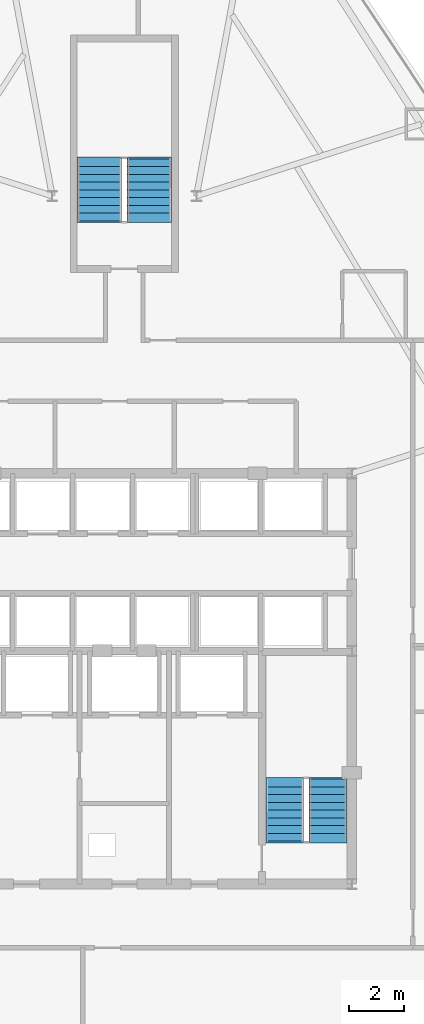
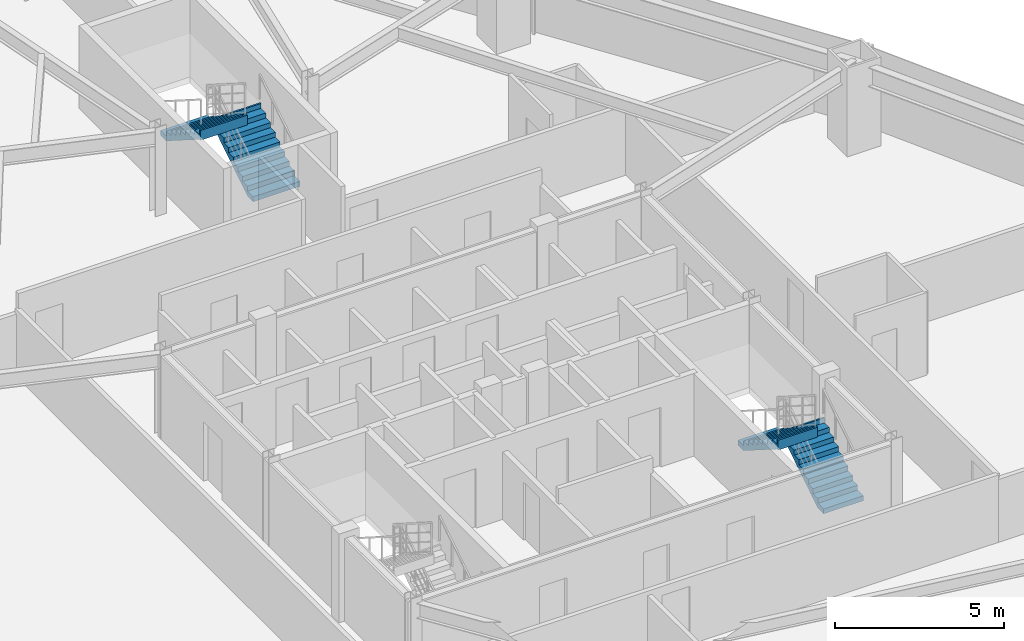
# One storey, part 11 of 12: 4 stair flights, 2 elements without a shape of their own.
"""IFC4 building model written with IfcOpenShell, lengths in metres."""

from ifc_helpers import new_model, si_unit, direction, frame, origin, place, context, subcontext, project, spatial, polyline, outline, extrude, material, type_object, element, aggregate, save


model = new_model("IFC4")

# Units and contexts
model_context = context("Model", 3, precision=1e-05, world=origin(), true_north=direction((0.0, 1.0)))
body_context = subcontext(model_context, "Body", "Model", "MODEL_VIEW")
ifc_project = project(units=[si_unit("LENGTHUNIT", "METRE"), si_unit("AREAUNIT", "SQUARE_METRE"), si_unit("VOLUMEUNIT", "CUBIC_METRE"), si_unit("PLANEANGLEUNIT", "RADIAN"), si_unit("MASSUNIT", "GRAM", prefix="KILO")], contexts=[model_context])

# Site, building, storey
site_placement = place(None, origin())
site = spatial("IfcSite", under=ifc_project, at=site_placement, CompositionType="ELEMENT")
building_placement = place(site_placement, origin())
building = spatial("IfcBuilding", under=site, at=building_placement, Name="Varakhsha Concourse Tower", CompositionType="ELEMENT")
storey_placement = place(building_placement, frame((0.0, 0.0, 62.39990234375)))
storey = spatial("IfcBuildingStorey", under=building, at=storey_placement, Name="L17", CompositionType="ELEMENT", Elevation=62.39990234375)

# Stair, stair flights
ifc_material = material(Name="Concrete fc 45 MPa", Category="concrete")
stair_type_1 = type_object("IfcStairType", Name="ST-DOGLEG-1360", PredefinedType="HALF_TURN_STAIR", material=ifc_material)
stair_1_placement = place(storey_placement, origin())
stair_1 = element("IfcStair", 1, at=stair_1_placement, inside=storey, type_object=stair_type_1, Name="L17 Protected Exit Stair ST2", PredefinedType="HALF_TURN_STAIR")
stair_flight_type_1 = type_object("IfcStairFlightType", Name="STF-1360-R1778", PredefinedType="STRAIGHT", material=ifc_material)
stair_flight_1_placement = place(storey_placement, frame((47.340087890625, 17.93994140625, 0.0), z_axis=(0.0, 0.0, 1.0), x_axis=(0.0, 1.0, 0.0)))
stair_flight_1 = element("IfcStairFlight", 2, at=stair_flight_1_placement, type_object=stair_flight_type_1, Name="ST2 flight 1", NumberOfRisers=9, NumberOfTreads=8, PredefinedType="STRAIGHT", RiserHeight=0.177777778, TreadLength=0.28, context=body_context, shape_type="SweptSolid", body=[
    extrude(outline(polyline([(-0.06005859375, 0.0), (-0.06005859375, 0.177734375), (0.0, 0.177734375), (0.280029296875, 0.177734375), (0.280029296875, 0.35546875), (0.56005859375, 0.35546875), (0.56005859375, 0.533447265625), (0.840087890625, 0.533447265625), (0.840087890625, 0.711181640625), (1.1201171875, 0.711181640625), (1.1201171875, 0.888916015625), (1.39990234375, 0.888916015625), (1.39990234375, 1.066650390625), (1.679931640625, 1.066650390625), (1.679931640625, 1.244384765625), (1.9599609375, 1.244384765625), (1.9599609375, 1.422119140625), (2.239990234375, 1.422119140625), (2.239990234375, 1.60009765625), (2.300048828125, 1.60009765625), (2.300048828125, 1.24462890625), (2.239990234375, 1.24462890625), (0.27978515625, 0.0), (-0.06005859375, 0.0)])), frame((0.0, 0.68017578125, 0.0), z_axis=(0.0, -1.0, 0.0), x_axis=(1.0, 0.0, 0.0)), (0.0, 0.0, 1.0), 1.360107421875),
])
stair_flight_2_placement = place(storey_placement, frame((45.780029296875, 20.179931640625, 1.60009765625), z_axis=(0.0, 0.0, 1.0), x_axis=(0.0, -1.0, 0.0)))
stair_flight_2 = element("IfcStairFlight", 3, at=stair_flight_2_placement, type_object=stair_flight_type_1, Name="ST2 flight 2", NumberOfRisers=9, NumberOfTreads=8, PredefinedType="STRAIGHT", RiserHeight=0.177777778, TreadLength=0.28, context=body_context, shape_type="SweptSolid", body=[
    extrude(outline(polyline([(-0.06005859375, 0.0), (-0.06005859375, 0.177734375), (0.0, 0.177734375), (0.280029296875, 0.177734375), (0.280029296875, 0.35546875), (0.56005859375, 0.35546875), (0.56005859375, 0.533447265625), (0.840087890625, 0.533447265625), (0.840087890625, 0.711181640625), (1.1201171875, 0.711181640625), (1.1201171875, 0.888916015625), (1.39990234375, 0.888916015625), (1.39990234375, 1.066650390625), (1.679931640625, 1.066650390625), (1.679931640625, 1.244384765625), (1.9599609375, 1.244384765625), (1.9599609375, 1.422119140625), (2.239990234375, 1.422119140625), (2.239990234375, 1.60009765625), (2.300048828125, 1.60009765625), (2.300048828125, 1.24462890625), (2.239990234375, 1.24462890625), (0.27978515625, 0.0), (-0.06005859375, 0.0)])), frame((0.0, 0.68017578125, 0.0), z_axis=(0.0, -1.0, 0.0), x_axis=(1.0, 0.0, 0.0)), (0.0, 0.0, 1.0), 1.360107421875),
])
aggregate(stair_1, [stair_flight_1, stair_flight_2])

stair_type_2 = type_object("IfcStairType", Name="ST-DOGLEG-1600", PredefinedType="HALF_TURN_STAIR", material=ifc_material)
stair_2_placement = place(storey_placement, origin())
stair_2 = element("IfcStair", 4, at=stair_2_placement, inside=storey, type_object=stair_type_2, Name="L17 Protected Exit Stair ST5", PredefinedType="HALF_TURN_STAIR")
stair_flight_type_2 = type_object("IfcStairFlightType", Name="STF-1600-R1778", PredefinedType="STRAIGHT", material=ifc_material)
stair_flight_3_placement = place(storey_placement, frame((40.89990234375, 40.300048828125, 0.0), z_axis=(0.0, 0.0, 1.0), x_axis=(0.0, 1.0, 0.0)))
stair_flight_3 = element("IfcStairFlight", 5, at=stair_flight_3_placement, type_object=stair_flight_type_2, Name="ST5 flight 1", NumberOfRisers=9, NumberOfTreads=8, PredefinedType="STRAIGHT", RiserHeight=0.177777778, TreadLength=0.28, context=body_context, shape_type="SweptSolid", body=[
    extrude(outline(polyline([(-0.06005859375, 0.0), (-0.06005859375, 0.177734375), (0.0, 0.177734375), (0.280029296875, 0.177734375), (0.280029296875, 0.35546875), (0.56005859375, 0.35546875), (0.56005859375, 0.533447265625), (0.840087890625, 0.533447265625), (0.840087890625, 0.711181640625), (1.1201171875, 0.711181640625), (1.1201171875, 0.888916015625), (1.39990234375, 0.888916015625), (1.39990234375, 1.066650390625), (1.679931640625, 1.066650390625), (1.679931640625, 1.244384765625), (1.9599609375, 1.244384765625), (1.9599609375, 1.422119140625), (2.239990234375, 1.422119140625), (2.239990234375, 1.60009765625), (2.300048828125, 1.60009765625), (2.300048828125, 1.24462890625), (2.239990234375, 1.24462890625), (0.27978515625, 0.0), (-0.06005859375, 0.0)])), frame((0.0, 0.800048828125, 0.0), z_axis=(0.0, -1.0, 0.0), x_axis=(1.0, 0.0, 0.0)), (0.0, 0.0, 1.0), 1.60009765625),
])
stair_flight_4_placement = place(storey_placement, frame((39.10009765625, 42.5400390625, 1.60009765625), z_axis=(0.0, 0.0, 1.0), x_axis=(0.0, -1.0, 0.0)))
stair_flight_4 = element("IfcStairFlight", 6, at=stair_flight_4_placement, type_object=stair_flight_type_2, Name="ST5 flight 2", NumberOfRisers=9, NumberOfTreads=8, PredefinedType="STRAIGHT", RiserHeight=0.177777778, TreadLength=0.28, context=body_context, shape_type="SweptSolid", body=[
    extrude(outline(polyline([(-0.06005859375, 0.0), (-0.06005859375, 0.177734375), (0.0, 0.177734375), (0.280029296875, 0.177734375), (0.280029296875, 0.35546875), (0.56005859375, 0.35546875), (0.56005859375, 0.533447265625), (0.840087890625, 0.533447265625), (0.840087890625, 0.711181640625), (1.1201171875, 0.711181640625), (1.1201171875, 0.888916015625), (1.39990234375, 0.888916015625), (1.39990234375, 1.066650390625), (1.679931640625, 1.066650390625), (1.679931640625, 1.244384765625), (1.9599609375, 1.244384765625), (1.9599609375, 1.422119140625), (2.239990234375, 1.422119140625), (2.239990234375, 1.60009765625), (2.300048828125, 1.60009765625), (2.300048828125, 1.24462890625), (2.239990234375, 1.24462890625), (0.27978515625, 0.0), (-0.06005859375, 0.0)])), frame((0.0, 0.800048828125, 0.0), z_axis=(0.0, -1.0, 0.0), x_axis=(1.0, 0.0, 0.0)), (0.0, 0.0, 1.0), 1.60009765625),
])
aggregate(stair_2, [stair_flight_3, stair_flight_4])

save(model, "model.ifc")
